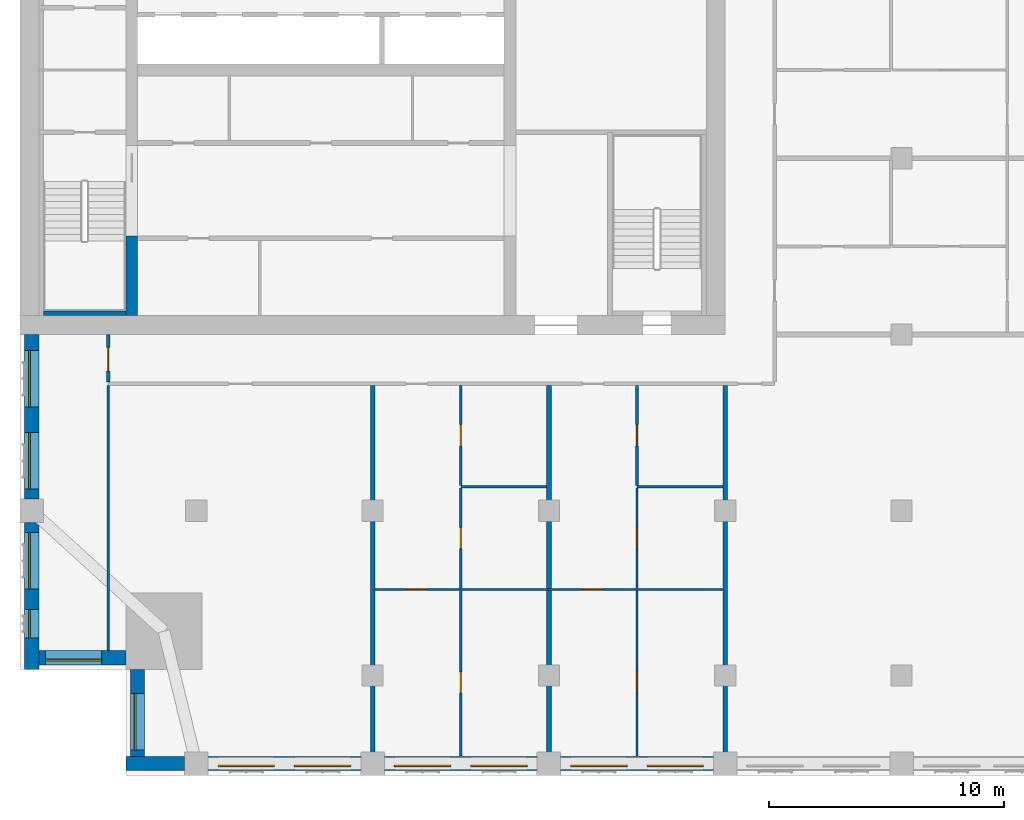
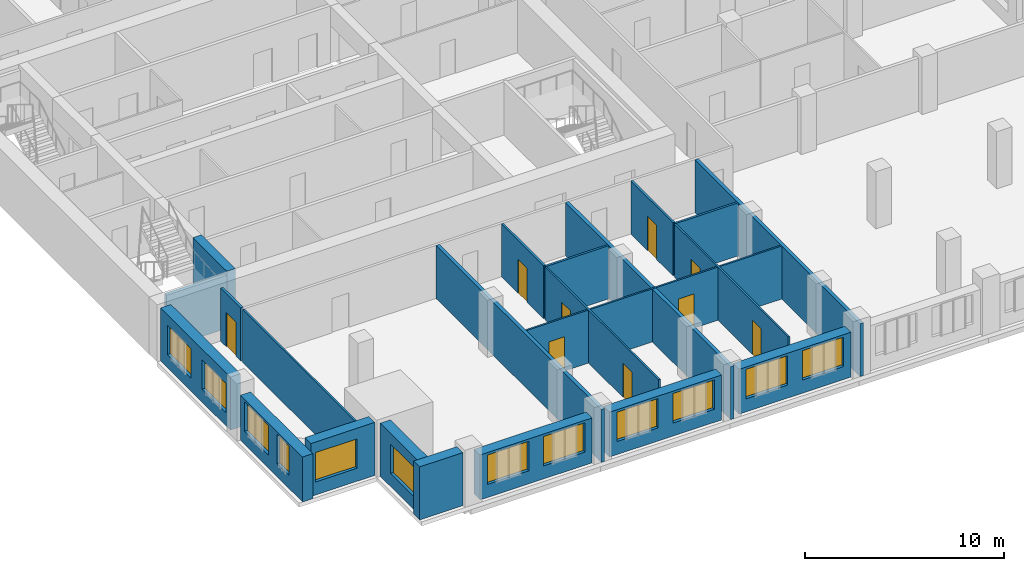
# One storey, part 6 of 14: 22 walls, 12 windows, 9 doors, 21 openings.
"""IFC4 building model written with IfcOpenShell, lengths in metres."""

import ifcopenshell
import ifcopenshell.guid

model = None  # the IFC model being written
_history = None  # IfcOwnerHistory: only IFC2X3 demands one
_inside = {}  # id of a spatial element -> (the spatial element, [elements in it])
_under = {}  # id of a project, library or spatial element -> (it, [spatial elements below it])
_declared = {}  # id of a project -> (the project, [libraries it declares])
_typed = {}  # id of a type object -> (the type object, [elements of that type])
_made_of = {}  # id of a material, layer set ... -> (it, [elements and type objects made of it])


def new_model(schema):
    """Start an empty IFC model of exactly this schema.

    Asked for "IFC4X3", IfcOpenShell would pick the latest addendum, in which some entities
    have other attributes; the version numbers below select the first issue.
    IFC2X3 requires an IfcOwnerHistory on every rooted entity: one is made here for all.
    """
    global model, _history
    if schema == "IFC4X3":
        model = ifcopenshell.file(schema_version=(4, 3, 0, 0))
    else:
        model = ifcopenshell.file(schema=schema)
    _inside.clear()
    _under.clear()
    _declared.clear()
    _typed.clear()
    _made_of.clear()
    _history = None
    if model.schema == "IFC2X3":
        org = make("IfcOrganization", Name="unknown")
        user = make(
            "IfcPersonAndOrganization",
            ThePerson=make("IfcPerson", FamilyName="unknown"),
            TheOrganization=org,
        )
        app = make(
            "IfcApplication",
            ApplicationDeveloper=org,
            Version="unknown",
            ApplicationFullName="unknown",
            ApplicationIdentifier="unknown",
        )
        _history = make(
            "IfcOwnerHistory",
            OwningUser=user,
            OwningApplication=app,
            ChangeAction="ADDED",
            CreationDate=0,
        )
    return model


def make(cls, **values):
    """One entity of the class cls with the attributes given. An attribute that is None is left unset."""
    return model.create_entity(
        cls, **{name: value for name, value in values.items() if value is not None}
    )


def rooted(cls, **values):
    """An entity with a GlobalId (a new one), such as an element, a storey or a relation."""
    return make(cls, GlobalId=ifcopenshell.guid.new(), OwnerHistory=_history, **values)


def si_unit(unit_type, name, prefix=None):
    """IfcSIUnit, for example si_unit("LENGTHUNIT", "METRE", prefix="MILLI")."""
    return make("IfcSIUnit", UnitType=unit_type, Prefix=prefix, Name=name)


def assignment(units):
    """IfcUnitAssignment: the units of a project."""
    return None if units is None else make("IfcUnitAssignment", Units=units)


def point(xyz):
    """IfcCartesianPoint."""
    return None if xyz is None else make("IfcCartesianPoint", Coordinates=xyz)


def direction(xyz):
    """IfcDirection."""
    return None if xyz is None else make("IfcDirection", DirectionRatios=xyz)


def frame(location, z_axis=None, x_axis=None):
    """IfcAxis2Placement3D, a coordinate frame: its origin and axes. An axis left out is left unset."""
    return make(
        "IfcAxis2Placement3D",
        Location=point(location),
        Axis=direction(z_axis),
        RefDirection=direction(x_axis),
    )


def frame_2d(location, x_axis=None):
    """IfcAxis2Placement2D, a coordinate frame in the plane: its origin and x axis."""
    return make(
        "IfcAxis2Placement2D", Location=point(location), RefDirection=direction(x_axis)
    )


def origin():
    """The frame at (0, 0, 0) with its axes left unset."""
    return frame((0.0, 0.0, 0.0))


def place(relative_to, where):
    """IfcLocalPlacement: puts the frame where relative to a parent placement (None: the world)."""
    return make(
        "IfcLocalPlacement", PlacementRelTo=relative_to, RelativePlacement=where
    )


def context(
    kind, dimensions, precision=None, world=None, true_north=None, identifier=None
):
    """IfcGeometricRepresentationContext, for example the 3D "Model" context."""
    return make(
        "IfcGeometricRepresentationContext",
        ContextIdentifier=identifier,
        ContextType=kind,
        CoordinateSpaceDimension=dimensions,
        Precision=precision,
        WorldCoordinateSystem=world,
        TrueNorth=true_north,
    )


def subcontext(parent, identifier, kind, view, scale=None):
    """IfcGeometricRepresentationSubContext, for example "Body" below "Model"."""
    return make(
        "IfcGeometricRepresentationSubContext",
        ContextIdentifier=identifier,
        ContextType=kind,
        ParentContext=parent,
        TargetScale=scale,
        TargetView=view,
    )


def project(units=None, contexts=None):
    """IfcProject with its units and contexts."""
    return rooted(
        "IfcProject",
        Name="project",
        RepresentationContexts=contexts,
        UnitsInContext=assignment(units),
    )


def spatial(cls, under=None, at=None, **own):
    """A site, building, storey or space (cls), placed at a placement, below another one or the project."""
    s = rooted(cls, ObjectPlacement=at, **own)
    if under is not None:
        _under.setdefault(under.id(), (under, []))[1].append(s)
    return s


def profile(cls, at=None, kind="AREA", **sizes):
    """A parametric profile (cls). Its sizes go by their IFC names, for example OverallWidth=200.0."""
    return make(cls, ProfileType=kind, Position=at, **sizes)


def rectangle(**sizes):
    """IfcRectangleProfileDef."""
    return profile("IfcRectangleProfileDef", **sizes)


def extrude(swept, where, along, depth):
    """IfcExtrudedAreaSolid: the profile swept, set in the frame where, extruded along a direction by depth."""
    return make(
        "IfcExtrudedAreaSolid",
        SweptArea=swept,
        Position=where,
        ExtrudedDirection=direction(along),
        Depth=depth,
    )


def shape(context_of_items, identifier, shape_type, items):
    """IfcShapeRepresentation: the items that make up one representation, for example the "Body"."""
    return make(
        "IfcShapeRepresentation",
        ContextOfItems=context_of_items,
        RepresentationIdentifier=identifier,
        RepresentationType=shape_type,
        Items=items,
    )


def material(Name=None, Category=None):
    """IfcMaterial."""
    return make("IfcMaterial", Name=Name, Category=Category)


def layer(
    of_material, thickness, ventilated=None, Name=None, Category=None, Priority=None
):
    """IfcMaterialLayer: one layer of a wall or slab, of a material (None: an air gap)."""
    return make(
        "IfcMaterialLayer",
        Material=of_material,
        LayerThickness=thickness,
        IsVentilated=ventilated,
        Name=Name,
        Category=Category,
        Priority=Priority,
    )


def layer_set(layers, Name=None):
    """IfcMaterialLayerSet."""
    return make("IfcMaterialLayerSet", MaterialLayers=layers, LayerSetName=Name)


def made_of(thing, what):
    """Note that an element or type object is made of a material, layer set ...; save() writes the relation."""
    if what is not None:
        _made_of.setdefault(what.id(), (what, []))[1].append(thing)
    return thing


def type_object(cls, material=None, **own):
    """A type object (cls), such as IfcWallType, which elements share."""
    return made_of(rooted(cls, **own), material)


def element(
    cls,
    number,
    at=None,
    inside=None,
    cuts=None,
    type_object=None,
    material=None,
    context=None,
    identifier="Body",
    shape_type=None,
    held_by="IfcProductDefinitionShape",
    body=None,
    shapes=None,
    **own,
):
    """One element of the class cls, such as IfcWall. Its Tag is "e" and its number.

    at: its placement. inside: the storey or other place that contains it. cuts: it is an
    opening in that element (IfcRelVoidsElement). A single representation is given by context,
    identifier, shape_type and body (its items); several are given by shapes. held_by: the class
    of the entity that holds the representations. save() writes the other relations.
    """
    e = rooted(cls, Tag="e%d" % number, ObjectPlacement=at, **own)
    if body is not None:
        shapes = [shape(context, identifier, shape_type, body)]
    if shapes is not None:
        e.Representation = make(held_by, Representations=shapes)
    if inside is not None:
        _inside.setdefault(inside.id(), (inside, []))[1].append(e)
    if cuts is not None:
        rooted(
            "IfcRelVoidsElement", RelatingBuildingElement=cuts, RelatedOpeningElement=e
        )
    if type_object is not None:
        _typed.setdefault(type_object.id(), (type_object, []))[1].append(e)
    return made_of(e, material)


def fill(opening, filler):
    """IfcRelFillsElement: the door or window that sits in an opening."""
    return rooted(
        "IfcRelFillsElement",
        RelatingOpeningElement=opening,
        RelatedBuildingElement=filler,
    )


def aggregate(whole, parts):
    """IfcRelAggregates: a whole, such as a stair, and the parts it consists of."""
    return rooted("IfcRelAggregates", RelatingObject=whole, RelatedObjects=parts)


def save(model, path):
    """Write the relations noted so far, then the file.

    IfcRelAggregates (storeys below a building ...), IfcRelContainedInSpatialStructure (elements
    in a storey), IfcRelDefinesByType, IfcRelAssociatesMaterial and IfcRelDeclares: one each for
    every whole, place, type object, material and project.
    """
    for whole, parts in _under.values():
        aggregate(whole, parts)
    for where, things in _inside.values():
        rooted(
            "IfcRelContainedInSpatialStructure",
            RelatedElements=things,
            RelatingStructure=where,
        )
    for kind, things in _typed.values():
        rooted("IfcRelDefinesByType", RelatedObjects=things, RelatingType=kind)
    for what, things in _made_of.values():
        rooted("IfcRelAssociatesMaterial", RelatedObjects=things, RelatingMaterial=what)
    for by, libraries in _declared.values():
        rooted("IfcRelDeclares", RelatingContext=by, RelatedDefinitions=libraries)
    model.write(path)


model = new_model("IFC4")

# Units and contexts
model_context = context("Model", 3, precision=1e-05, world=origin(), true_north=direction((0.0, 1.0)))
body_context = subcontext(model_context, "Body", "Model", "MODEL_VIEW")
ifc_project = project(units=[si_unit("LENGTHUNIT", "METRE"), si_unit("AREAUNIT", "SQUARE_METRE"), si_unit("VOLUMEUNIT", "CUBIC_METRE"), si_unit("PLANEANGLEUNIT", "RADIAN"), si_unit("MASSUNIT", "GRAM", prefix="KILO")], contexts=[model_context])

# Site, building, storey
site_placement = place(None, origin())
site = spatial("IfcSite", under=ifc_project, at=site_placement, CompositionType="ELEMENT")
building_placement = place(site_placement, origin())
building = spatial("IfcBuilding", under=site, at=building_placement, Name="Tamorin Gate", CompositionType="ELEMENT")
storey_placement = place(building_placement, frame((0.0, 0.0, 203.699951171875)))
storey = spatial("IfcBuildingStorey", under=building, at=storey_placement, Name="L50", CompositionType="ELEMENT", Elevation=203.699951171875)

# Wall
ifc_material_1 = material(Name="Precast concrete C40/50", Category="concrete")
ifc_layer_1 = layer(ifc_material_1, 0.60009765625)
ifc_layer_set_1 = layer_set([ifc_layer_1], Name="Precast concrete C40/50")
wall_type_1 = type_object("IfcWallType", Name="Board-marked concrete facade panel 600", PredefinedType="SOLIDWALL", material=ifc_layer_set_1)
wall_1_placement = place(storey_placement, frame((34.5, 41.75, 0.0), z_axis=(0.0, 0.0, 1.0), x_axis=(1.0, 0.0, 0.0)))
element("IfcWall", 1, at=wall_1_placement, inside=storey, type_object=wall_type_1, Name="Facade panel", PredefinedType="SOLIDWALL", context=body_context, shape_type="SweptSolid", body=[
    extrude(rectangle(XDim=2.5, YDim=0.60009765625, at=frame_2d((1.25, 0.0))), origin(), (0.0, 0.0, 1.0), 3.25),
])

# Wall, openings, windows
wall_2_placement = place(storey_placement, frame((38.0, 41.75, 0.0), z_axis=(0.0, 0.0, 1.0), x_axis=(1.0, 0.0, 0.0)))
wall_2 = element("IfcWall", 2, at=wall_2_placement, inside=storey, type_object=wall_type_1, Name="Facade panel", PredefinedType="SOLIDWALL", context=body_context, shape_type="SweptSolid", body=[
    extrude(rectangle(XDim=6.5, YDim=0.60009765625, at=frame_2d((3.25, 0.0))), origin(), (0.0, 0.0, 1.0), 2.75),
])
opening_1_placement = place(wall_2_placement, frame((0.425048828125, 0.0, 0.800048828125)))
opening_1 = element("IfcOpeningElement", 3, at=opening_1_placement, cuts=wall_2, Name="Opening WN1", PredefinedType="OPENING", context=body_context, shape_type="SweptSolid", body=[
    extrude(rectangle(XDim=2.39990234375, YDim=1.800048828125, at=frame_2d((1.199951171875, 0.89990234375))), frame((0.0, 0.31005859375, 0.0), z_axis=(0.0, -1.0, 0.0), x_axis=(1.0, 0.0, 0.0)), (0.0, 0.0, 1.0), 0.6201171875),
])
opening_2_placement = place(wall_2_placement, frame((3.675048828125, 0.0, 0.800048828125)))
opening_2 = element("IfcOpeningElement", 4, at=opening_2_placement, cuts=wall_2, Name="Opening WN1", PredefinedType="OPENING", context=body_context, shape_type="SweptSolid", body=[
    extrude(rectangle(XDim=2.39990234375, YDim=1.800048828125, at=frame_2d((1.199951171875, 0.89990234375))), frame((0.0, 0.31005859375, 0.0), z_axis=(0.0, -1.0, 0.0), x_axis=(1.0, 0.0, 0.0)), (0.0, 0.0, 1.0), 0.6201171875),
])
ifc_material_2 = material(Name="Clear glass in aluminium frame", Category="aluminium")
window_type_1 = type_object("IfcWindowType", Name="Deep-set window 2400x1800", PartitioningType="SINGLE_PANEL", PredefinedType="WINDOW", material=ifc_material_2)
window_1_placement = place(opening_1_placement, origin())
window_1 = element("IfcWindow", 5, at=window_1_placement, inside=storey, type_object=window_type_1, Name="Deep-set window", OverallHeight=1.800048828125, OverallWidth=2.39990234375, PartitioningType="SINGLE_PANEL", PredefinedType="WINDOW", context=body_context, shape_type="SweptSolid", body=[
    extrude(rectangle(XDim=2.39990234375, YDim=1.800048828125, at=frame_2d((1.199951171875, 0.89990234375))), frame((0.0, -0.070068359375, 0.0), z_axis=(0.0, -1.0, 0.0), x_axis=(1.0, 0.0, 0.0)), (0.0, 0.0, 1.0), 0.06005859375),
])
fill(opening_1, window_1)
window_2_placement = place(opening_2_placement, origin())
window_2 = element("IfcWindow", 6, at=window_2_placement, inside=storey, type_object=window_type_1, Name="Deep-set window", OverallHeight=1.800048828125, OverallWidth=2.39990234375, PartitioningType="SINGLE_PANEL", PredefinedType="WINDOW", context=body_context, shape_type="SweptSolid", body=[
    extrude(rectangle(XDim=2.39990234375, YDim=1.800048828125, at=frame_2d((1.199951171875, 0.89990234375))), frame((0.0, -0.070068359375, 0.0), z_axis=(0.0, -1.0, 0.0), x_axis=(1.0, 0.0, 0.0)), (0.0, 0.0, 1.0), 0.06005859375),
])
fill(opening_2, window_2)

wall_3_placement = place(storey_placement, frame((45.5, 41.75, 0.0), z_axis=(0.0, 0.0, 1.0), x_axis=(1.0, 0.0, 0.0)))
wall_3 = element("IfcWall", 7, at=wall_3_placement, inside=storey, type_object=wall_type_1, Name="Facade panel", PredefinedType="SOLIDWALL", context=body_context, shape_type="SweptSolid", body=[
    extrude(rectangle(XDim=6.5, YDim=0.60009765625, at=frame_2d((3.25, 0.0))), origin(), (0.0, 0.0, 1.0), 2.75),
])
opening_3_placement = place(wall_3_placement, frame((0.425048828125, 0.0, 0.800048828125)))
opening_3 = element("IfcOpeningElement", 8, at=opening_3_placement, cuts=wall_3, Name="Opening WN1", PredefinedType="OPENING", context=body_context, shape_type="SweptSolid", body=[
    extrude(rectangle(XDim=2.39990234375, YDim=1.800048828125, at=frame_2d((1.199951171875, 0.89990234375))), frame((0.0, 0.31005859375, 0.0), z_axis=(0.0, -1.0, 0.0), x_axis=(1.0, 0.0, 0.0)), (0.0, 0.0, 1.0), 0.6201171875),
])
opening_4_placement = place(wall_3_placement, frame((3.675048828125, 0.0, 0.800048828125)))
opening_4 = element("IfcOpeningElement", 9, at=opening_4_placement, cuts=wall_3, Name="Opening WN1", PredefinedType="OPENING", context=body_context, shape_type="SweptSolid", body=[
    extrude(rectangle(XDim=2.39990234375, YDim=1.800048828125, at=frame_2d((1.199951171875, 0.89990234375))), frame((0.0, 0.31005859375, 0.0), z_axis=(0.0, -1.0, 0.0), x_axis=(1.0, 0.0, 0.0)), (0.0, 0.0, 1.0), 0.6201171875),
])
window_3_placement = place(opening_3_placement, origin())
window_3 = element("IfcWindow", 10, at=window_3_placement, inside=storey, type_object=window_type_1, Name="Deep-set window", OverallHeight=1.800048828125, OverallWidth=2.39990234375, PartitioningType="SINGLE_PANEL", PredefinedType="WINDOW", context=body_context, shape_type="SweptSolid", body=[
    extrude(rectangle(XDim=2.39990234375, YDim=1.800048828125, at=frame_2d((1.199951171875, 0.89990234375))), frame((0.0, -0.070068359375, 0.0), z_axis=(0.0, -1.0, 0.0), x_axis=(1.0, 0.0, 0.0)), (0.0, 0.0, 1.0), 0.06005859375),
])
fill(opening_3, window_3)
window_4_placement = place(opening_4_placement, origin())
window_4 = element("IfcWindow", 11, at=window_4_placement, inside=storey, type_object=window_type_1, Name="Deep-set window", OverallHeight=1.800048828125, OverallWidth=2.39990234375, PartitioningType="SINGLE_PANEL", PredefinedType="WINDOW", context=body_context, shape_type="SweptSolid", body=[
    extrude(rectangle(XDim=2.39990234375, YDim=1.800048828125, at=frame_2d((1.199951171875, 0.89990234375))), frame((0.0, -0.070068359375, 0.0), z_axis=(0.0, -1.0, 0.0), x_axis=(1.0, 0.0, 0.0)), (0.0, 0.0, 1.0), 0.06005859375),
])
fill(opening_4, window_4)

wall_4_placement = place(storey_placement, frame((53.0, 41.75, 0.0), z_axis=(0.0, 0.0, 1.0), x_axis=(1.0, 0.0, 0.0)))
wall_4 = element("IfcWall", 12, at=wall_4_placement, inside=storey, type_object=wall_type_1, Name="Facade panel", PredefinedType="SOLIDWALL", context=body_context, shape_type="SweptSolid", body=[
    extrude(rectangle(XDim=6.5, YDim=0.60009765625, at=frame_2d((3.25, 0.0))), origin(), (0.0, 0.0, 1.0), 2.75),
])
opening_5_placement = place(wall_4_placement, frame((0.425048828125, 0.0, 0.800048828125)))
opening_5 = element("IfcOpeningElement", 13, at=opening_5_placement, cuts=wall_4, Name="Opening WN1", PredefinedType="OPENING", context=body_context, shape_type="SweptSolid", body=[
    extrude(rectangle(XDim=2.39990234375, YDim=1.800048828125, at=frame_2d((1.199951171875, 0.89990234375))), frame((0.0, 0.31005859375, 0.0), z_axis=(0.0, -1.0, 0.0), x_axis=(1.0, 0.0, 0.0)), (0.0, 0.0, 1.0), 0.6201171875),
])
opening_6_placement = place(wall_4_placement, frame((3.675048828125, 0.0, 0.800048828125)))
opening_6 = element("IfcOpeningElement", 14, at=opening_6_placement, cuts=wall_4, Name="Opening WN1", PredefinedType="OPENING", context=body_context, shape_type="SweptSolid", body=[
    extrude(rectangle(XDim=2.39990234375, YDim=1.800048828125, at=frame_2d((1.199951171875, 0.89990234375))), frame((0.0, 0.31005859375, 0.0), z_axis=(0.0, -1.0, 0.0), x_axis=(1.0, 0.0, 0.0)), (0.0, 0.0, 1.0), 0.6201171875),
])
window_5_placement = place(opening_5_placement, origin())
window_5 = element("IfcWindow", 15, at=window_5_placement, inside=storey, type_object=window_type_1, Name="Deep-set window", OverallHeight=1.800048828125, OverallWidth=2.39990234375, PartitioningType="SINGLE_PANEL", PredefinedType="WINDOW", context=body_context, shape_type="SweptSolid", body=[
    extrude(rectangle(XDim=2.39990234375, YDim=1.800048828125, at=frame_2d((1.199951171875, 0.89990234375))), frame((0.0, -0.070068359375, 0.0), z_axis=(0.0, -1.0, 0.0), x_axis=(1.0, 0.0, 0.0)), (0.0, 0.0, 1.0), 0.06005859375),
])
fill(opening_5, window_5)
window_6_placement = place(opening_6_placement, origin())
window_6 = element("IfcWindow", 16, at=window_6_placement, inside=storey, type_object=window_type_1, Name="Deep-set window", OverallHeight=1.800048828125, OverallWidth=2.39990234375, PartitioningType="SINGLE_PANEL", PredefinedType="WINDOW", context=body_context, shape_type="SweptSolid", body=[
    extrude(rectangle(XDim=2.39990234375, YDim=1.800048828125, at=frame_2d((1.199951171875, 0.89990234375))), frame((0.0, -0.070068359375, 0.0), z_axis=(0.0, -1.0, 0.0), x_axis=(1.0, 0.0, 0.0)), (0.0, 0.0, 1.0), 0.06005859375),
])
fill(opening_6, window_6)

wall_5_placement = place(storey_placement, frame((30.5, 60.0, 0.0), z_axis=(0.0, 0.0, 1.0), x_axis=(0.0, -1.0, 0.0)))
wall_5 = element("IfcWall", 17, at=wall_5_placement, inside=storey, type_object=wall_type_1, Name="Facade panel", PredefinedType="SOLIDWALL", context=body_context, shape_type="SweptSolid", body=[
    extrude(rectangle(XDim=7.0, YDim=0.60009765625, at=frame_2d((3.5, 0.0))), origin(), (0.0, 0.0, 1.0), 3.25),
])
opening_7_placement = place(wall_5_placement, frame((4.175048828125, 0.0, 0.800048828125)))
opening_7 = element("IfcOpeningElement", 18, at=opening_7_placement, cuts=wall_5, Name="Opening WN1", PredefinedType="OPENING", context=body_context, shape_type="SweptSolid", body=[
    extrude(rectangle(XDim=2.39990234375, YDim=1.800048828125, at=frame_2d((1.199951171875, 0.89990234375))), frame((0.0, 0.31005859375, 0.0), z_axis=(0.0, -1.0, 0.0), x_axis=(1.0, 0.0, 0.0)), (0.0, 0.0, 1.0), 0.6201171875),
])
opening_8_placement = place(wall_5_placement, frame((0.675048828125, 0.0, 0.800048828125)))
opening_8 = element("IfcOpeningElement", 19, at=opening_8_placement, cuts=wall_5, Name="Opening WN1", PredefinedType="OPENING", context=body_context, shape_type="SweptSolid", body=[
    extrude(rectangle(XDim=2.39990234375, YDim=1.800048828125, at=frame_2d((1.199951171875, 0.89990234375))), frame((0.0, 0.31005859375, 0.0), z_axis=(0.0, -1.0, 0.0), x_axis=(1.0, 0.0, 0.0)), (0.0, 0.0, 1.0), 0.6201171875),
])
window_7_placement = place(opening_7_placement, origin())
window_7 = element("IfcWindow", 20, at=window_7_placement, inside=storey, type_object=window_type_1, Name="Deep-set window", OverallHeight=1.800048828125, OverallWidth=2.39990234375, PartitioningType="SINGLE_PANEL", PredefinedType="WINDOW", context=body_context, shape_type="SweptSolid", body=[
    extrude(rectangle(XDim=2.39990234375, YDim=1.800048828125, at=frame_2d((1.199951171875, 0.89990234375))), frame((0.0, -0.070068359375, 0.0), z_axis=(0.0, -1.0, 0.0), x_axis=(1.0, 0.0, 0.0)), (0.0, 0.0, 1.0), 0.06005859375),
])
fill(opening_7, window_7)
window_8_placement = place(opening_8_placement, origin())
window_8 = element("IfcWindow", 21, at=window_8_placement, inside=storey, type_object=window_type_1, Name="Deep-set window", OverallHeight=1.800048828125, OverallWidth=2.39990234375, PartitioningType="SINGLE_PANEL", PredefinedType="WINDOW", context=body_context, shape_type="SweptSolid", body=[
    extrude(rectangle(XDim=2.39990234375, YDim=1.800048828125, at=frame_2d((1.199951171875, 0.89990234375))), frame((0.0, -0.070068359375, 0.0), z_axis=(0.0, -1.0, 0.0), x_axis=(1.0, 0.0, 0.0)), (0.0, 0.0, 1.0), 0.06005859375),
])
fill(opening_8, window_8)

wall_6_placement = place(storey_placement, frame((30.5, 52.0, 0.0), z_axis=(0.0, 0.0, 1.0), x_axis=(0.0, -1.0, 0.0)))
wall_6 = element("IfcWall", 22, at=wall_6_placement, inside=storey, type_object=wall_type_1, Name="Facade panel", PredefinedType="SOLIDWALL", context=body_context, shape_type="SweptSolid", body=[
    extrude(rectangle(XDim=6.25, YDim=0.60009765625, at=frame_2d((3.125, 0.0))), origin(), (0.0, 0.0, 1.0), 2.75),
])
opening_9_placement = place(wall_6_placement, frame((3.699951171875, 0.0, 0.800048828125)))
opening_9 = element("IfcOpeningElement", 23, at=opening_9_placement, cuts=wall_6, Name="Opening WN3", PredefinedType="OPENING", context=body_context, shape_type="SweptSolid", body=[
    extrude(rectangle(XDim=1.199951171875, YDim=1.800048828125, at=frame_2d((0.60009765625, 0.89990234375))), frame((0.0, 0.31005859375, 0.0), z_axis=(0.0, -1.0, 0.0), x_axis=(1.0, 0.0, 0.0)), (0.0, 0.0, 1.0), 0.6201171875),
])
opening_10_placement = place(wall_6_placement, frame((0.425048828125, 0.0, 0.800048828125)))
opening_10 = element("IfcOpeningElement", 24, at=opening_10_placement, cuts=wall_6, Name="Opening WN1", PredefinedType="OPENING", context=body_context, shape_type="SweptSolid", body=[
    extrude(rectangle(XDim=2.39990234375, YDim=1.800048828125, at=frame_2d((1.199951171875, 0.89990234375))), frame((0.0, 0.31005859375, 0.0), z_axis=(0.0, -1.0, 0.0), x_axis=(1.0, 0.0, 0.0)), (0.0, 0.0, 1.0), 0.6201171875),
])
window_type_2 = type_object("IfcWindowType", Name="Deep-set window 1200x1800", PartitioningType="SINGLE_PANEL", PredefinedType="WINDOW", material=ifc_material_2)
window_9_placement = place(opening_9_placement, origin())
window_9 = element("IfcWindow", 25, at=window_9_placement, inside=storey, type_object=window_type_2, Name="Deep-set window", OverallHeight=1.800048828125, OverallWidth=1.199951171875, PartitioningType="SINGLE_PANEL", PredefinedType="WINDOW", context=body_context, shape_type="SweptSolid", body=[
    extrude(rectangle(XDim=1.199951171875, YDim=1.800048828125, at=frame_2d((0.60009765625, 0.89990234375))), frame((0.0, -0.070068359375, 0.0), z_axis=(0.0, -1.0, 0.0), x_axis=(1.0, 0.0, 0.0)), (0.0, 0.0, 1.0), 0.06005859375),
])
fill(opening_9, window_9)
window_10_placement = place(opening_10_placement, origin())
window_10 = element("IfcWindow", 26, at=window_10_placement, inside=storey, type_object=window_type_1, Name="Deep-set window", OverallHeight=1.800048828125, OverallWidth=2.39990234375, PartitioningType="SINGLE_PANEL", PredefinedType="WINDOW", context=body_context, shape_type="SweptSolid", body=[
    extrude(rectangle(XDim=2.39990234375, YDim=1.800048828125, at=frame_2d((1.199951171875, 0.89990234375))), frame((0.0, -0.070068359375, 0.0), z_axis=(0.0, -1.0, 0.0), x_axis=(1.0, 0.0, 0.0)), (0.0, 0.0, 1.0), 0.06005859375),
])
fill(opening_10, window_10)

# Wall, opening, window
wall_7_placement = place(storey_placement, frame((30.800048828125, 46.25, 0.0), z_axis=(0.0, 0.0, 1.0), x_axis=(1.0, 0.0, 0.0)))
wall_7 = element("IfcWall", 27, at=wall_7_placement, inside=storey, type_object=wall_type_1, Name="Facade panel", PredefinedType="SOLIDWALL", context=body_context, shape_type="SweptSolid", body=[
    extrude(rectangle(XDim=3.699951171875, YDim=0.60009765625, at=frame_2d((1.85009765625, 0.0))), origin(), (0.0, 0.0, 1.0), 3.25),
])
opening_11_placement = place(wall_7_placement, frame((0.27490234375, 0.0, 0.800048828125)))
opening_11 = element("IfcOpeningElement", 28, at=opening_11_placement, cuts=wall_7, Name="Opening WN1", PredefinedType="OPENING", context=body_context, shape_type="SweptSolid", body=[
    extrude(rectangle(XDim=2.39990234375, YDim=1.800048828125, at=frame_2d((1.199951171875, 0.89990234375))), frame((0.0, 0.31005859375, 0.0), z_axis=(0.0, -1.0, 0.0), x_axis=(1.0, 0.0, 0.0)), (0.0, 0.0, 1.0), 0.6201171875),
])
window_11_placement = place(opening_11_placement, origin())
window_11 = element("IfcWindow", 29, at=window_11_placement, inside=storey, type_object=window_type_1, Name="Deep-set window", OverallHeight=1.800048828125, OverallWidth=2.39990234375, PartitioningType="SINGLE_PANEL", PredefinedType="WINDOW", context=body_context, shape_type="SweptSolid", body=[
    extrude(rectangle(XDim=2.39990234375, YDim=1.800048828125, at=frame_2d((1.199951171875, 0.89990234375))), frame((0.0, -0.070068359375, 0.0), z_axis=(0.0, -1.0, 0.0), x_axis=(1.0, 0.0, 0.0)), (0.0, 0.0, 1.0), 0.06005859375),
])
fill(opening_11, window_11)

wall_8_placement = place(storey_placement, frame((35.0, 45.75, 0.0), z_axis=(0.0, 0.0, 1.0), x_axis=(0.0, -1.0, 0.0)))
wall_8 = element("IfcWall", 30, at=wall_8_placement, inside=storey, type_object=wall_type_1, Name="Facade panel", PredefinedType="SOLIDWALL", context=body_context, shape_type="SweptSolid", body=[
    extrude(rectangle(XDim=3.699951171875, YDim=0.60009765625, at=frame_2d((1.85009765625, 0.0))), origin(), (0.0, 0.0, 1.0), 3.25),
])
opening_12_placement = place(wall_8_placement, frame((1.02490234375, 0.0, 0.800048828125)))
opening_12 = element("IfcOpeningElement", 31, at=opening_12_placement, cuts=wall_8, Name="Opening WN1", PredefinedType="OPENING", context=body_context, shape_type="SweptSolid", body=[
    extrude(rectangle(XDim=2.39990234375, YDim=1.800048828125, at=frame_2d((1.199951171875, 0.89990234375))), frame((0.0, 0.31005859375, 0.0), z_axis=(0.0, -1.0, 0.0), x_axis=(1.0, 0.0, 0.0)), (0.0, 0.0, 1.0), 0.6201171875),
])
window_12_placement = place(opening_12_placement, origin())
window_12 = element("IfcWindow", 32, at=window_12_placement, inside=storey, type_object=window_type_1, Name="Deep-set window", OverallHeight=1.800048828125, OverallWidth=2.39990234375, PartitioningType="SINGLE_PANEL", PredefinedType="WINDOW", context=body_context, shape_type="SweptSolid", body=[
    extrude(rectangle(XDim=2.39990234375, YDim=1.800048828125, at=frame_2d((1.199951171875, 0.89990234375))), frame((0.0, -0.070068359375, 0.0), z_axis=(0.0, -1.0, 0.0), x_axis=(1.0, 0.0, 0.0)), (0.0, 0.0, 1.0), 0.06005859375),
])
fill(opening_12, window_12)

# Wall, opening, door
ifc_material_3 = material(Name="Gypsum board partition")
ifc_layer_2 = layer(ifc_material_3, 0.14990234375)
ifc_layer_set_2 = layer_set([ifc_layer_2], Name="Corridor wall 150")
wall_type_2 = type_object("IfcWallType", Name="Corridor wall 150", PredefinedType="PARTITIONING", material=ifc_layer_set_2)
wall_9_placement = place(storey_placement, frame((33.75, 57.97509765625, 0.0), z_axis=(0.0, 0.0, 1.0), x_axis=(0.0, 1.0, 0.0)))
wall_9 = element("IfcWall", 33, at=wall_9_placement, inside=storey, type_object=wall_type_2, Name="Corridor wall 150", PredefinedType="PARTITIONING", context=body_context, shape_type="SweptSolid", body=[
    extrude(rectangle(XDim=2.02490234375, YDim=0.14990234375, at=frame_2d((1.012451171875, 0.0))), origin(), (0.0, 0.0, 1.0), 3.25),
])
opening_13_placement = place(wall_9_placement, frame((0.47509765625, 0.0, 0.0)))
opening_13 = element("IfcOpeningElement", 34, at=opening_13_placement, cuts=wall_9, Name="Opening DR4001", PredefinedType="OPENING", context=body_context, shape_type="SweptSolid", body=[
    extrude(rectangle(XDim=1.0, YDim=2.10009765625, at=frame_2d((0.5, 1.050048828125))), frame((0.0, 0.0849609375, 0.0), z_axis=(0.0, -1.0, 0.0), x_axis=(1.0, 0.0, 0.0)), (0.0, 0.0, 1.0), 0.169921875),
])
ifc_material_4 = material(Name="Timber door leaf", Category="wood")
door_type_1 = type_object("IfcDoorType", Name="Door 1000 x 2100 FD30S", OperationType="NOTDEFINED", PredefinedType="DOOR", material=ifc_material_4)
door_1_placement = place(opening_13_placement, origin())
door_1 = element("IfcDoor", 35, at=door_1_placement, inside=storey, type_object=door_type_1, Name="Door DR4001", OperationType="SINGLE_SWING_LEFT", OverallHeight=2.10009765625, OverallWidth=1.0, PredefinedType="DOOR", context=body_context, shape_type="SweptSolid", body=[
    extrude(rectangle(XDim=1.0, YDim=2.10009765625, at=frame_2d((0.5, 1.050048828125))), frame((0.0, 0.02490234375, 0.0), z_axis=(0.0, -1.0, 0.0), x_axis=(1.0, 0.0, 0.0)), (0.0, 0.0, 1.0), 0.050048828125),
])
fill(opening_13, door_1)

# Walls
ifc_layer_3 = layer(ifc_material_3, 0.199951171875)
ifc_layer_set_3 = layer_set([ifc_layer_3], Name="Demising wall 200")
wall_type_3 = type_object("IfcWallType", Name="Demising wall 200", PredefinedType="PARTITIONING", material=ifc_layer_set_3)
for number, where, z_axis, x_axis, name in (
    (36, (45.0, 41.25, 0.0), (0.0, 0.0, 1.0), (0.0, 1.0, 0.0), "Demising wall 200"),
    (37, (52.5, 41.25, 0.0), (0.0, 0.0, 1.0), (0.0, 1.0, 0.0), "Demising wall 200"),
    (38, (60.0, 41.25, 0.0), (0.0, 0.0, 1.0), (0.0, 1.0, 0.0), "Demising wall 200"),
):
    element("IfcWall", number, at=place(storey_placement, frame(where, z_axis=z_axis, x_axis=x_axis)), inside=storey, type_object=wall_type_3, Name=name, PredefinedType="PARTITIONING", context=body_context, shape_type="SweptSolid", body=[
        extrude(rectangle(XDim=16.574951171875, YDim=0.199951171875, at=frame_2d((8.28759765625, 0.0))), origin(), (0.0, 0.0, 1.0), 3.25),
    ])
ifc_material_5 = material(Name="Concrete C60/75", Category="concrete")
ifc_layer_4 = layer(ifc_material_5, 0.5)
ifc_layer_set_4 = layer_set([ifc_layer_4], Name="RC core internal wall 500 C60/75")
wall_type_4 = type_object("IfcWallType", Name="RC core internal wall 500 C60/75", PredefinedType="SHEAR", material=ifc_layer_set_4)
wall_10_placement = place(storey_placement, frame((34.75, 60.800048828125, 0.0), z_axis=(0.0, 0.0, 1.0), x_axis=(0.0, 1.0, 0.0)))
element("IfcWall", 39, at=wall_10_placement, inside=storey, type_object=wall_type_4, Name="Core cross wall L50", PredefinedType="SHEAR", context=body_context, shape_type="SweptSolid", body=[
    extrude(rectangle(XDim=3.39990234375, YDim=0.5, at=frame_2d((1.699951171875, 0.0))), origin(), (0.0, 0.0, 1.0), 3.5),
])

# Wall, openings, doors
ifc_layer_5 = layer(ifc_material_3, 0.10009765625)
ifc_layer_set_5 = layer_set([ifc_layer_5], Name="Room partition 100")
wall_type_5 = type_object("IfcWallType", Name="Room partition 100", PredefinedType="PARTITIONING", material=ifc_layer_set_5)
wall_11_placement = place(storey_placement, frame((45.10009765625, 49.14990234375, 0.0), z_axis=(0.0, 0.0, 1.0), x_axis=(1.0, 0.0, 0.0)))
wall_11 = element("IfcWall", 40, at=wall_11_placement, inside=storey, type_object=wall_type_5, Name="Room partition 100", PredefinedType="PARTITIONING", context=body_context, shape_type="SweptSolid", body=[
    extrude(rectangle(XDim=14.7998046875, YDim=0.10009765625, at=frame_2d((7.39990234375, 0.0))), origin(), (0.0, 0.0, 1.0), 3.25),
])
opening_14_placement = place(wall_11_placement, frame((1.324951171875, 0.0, 0.0)))
opening_14 = element("IfcOpeningElement", 41, at=opening_14_placement, cuts=wall_11, Name="Opening DR4004", PredefinedType="OPENING", context=body_context, shape_type="SweptSolid", body=[
    extrude(rectangle(XDim=0.89990234375, YDim=2.10009765625, at=frame_2d((0.449951171875, 1.050048828125))), frame((0.0, 0.06005859375, 0.0), z_axis=(0.0, -1.0, 0.0), x_axis=(1.0, 0.0, 0.0)), (0.0, 0.0, 1.0), 0.1201171875),
])
opening_15_placement = place(wall_11_placement, frame((8.824951171875, 0.0, 0.0)))
opening_15 = element("IfcOpeningElement", 42, at=opening_15_placement, cuts=wall_11, Name="Opening DR4009", PredefinedType="OPENING", context=body_context, shape_type="SweptSolid", body=[
    extrude(rectangle(XDim=0.89990234375, YDim=2.10009765625, at=frame_2d((0.449951171875, 1.050048828125))), frame((0.0, 0.06005859375, 0.0), z_axis=(0.0, -1.0, 0.0), x_axis=(1.0, 0.0, 0.0)), (0.0, 0.0, 1.0), 0.1201171875),
])
door_type_2 = type_object("IfcDoorType", Name="Door 900 x 2100", OperationType="NOTDEFINED", PredefinedType="DOOR", material=ifc_material_4)
door_2_placement = place(opening_14_placement, origin())
door_2 = element("IfcDoor", 43, at=door_2_placement, inside=storey, type_object=door_type_2, Name="Door DR4004", OperationType="SINGLE_SWING_LEFT", OverallHeight=2.10009765625, OverallWidth=0.89990234375, PredefinedType="DOOR", context=body_context, shape_type="SweptSolid", body=[
    extrude(rectangle(XDim=0.89990234375, YDim=2.10009765625, at=frame_2d((0.449951171875, 1.050048828125))), frame((0.0, 0.02490234375, 0.0), z_axis=(0.0, -1.0, 0.0), x_axis=(1.0, 0.0, 0.0)), (0.0, 0.0, 1.0), 0.050048828125),
])
fill(opening_14, door_2)
door_3_placement = place(opening_15_placement, origin())
door_3 = element("IfcDoor", 44, at=door_3_placement, inside=storey, type_object=door_type_2, Name="Door DR4009", OperationType="SINGLE_SWING_LEFT", OverallHeight=2.10009765625, OverallWidth=0.89990234375, PredefinedType="DOOR", context=body_context, shape_type="SweptSolid", body=[
    extrude(rectangle(XDim=0.89990234375, YDim=2.10009765625, at=frame_2d((0.449951171875, 1.050048828125))), frame((0.0, 0.02490234375, 0.0), z_axis=(0.0, -1.0, 0.0), x_axis=(1.0, 0.0, 0.0)), (0.0, 0.0, 1.0), 0.050048828125),
])
fill(opening_15, door_3)

# Wall
wall_12_placement = place(storey_placement, frame((33.75, 46.56005859375, 0.0), z_axis=(0.0, 0.0, 1.0), x_axis=(0.0, 1.0, 0.0)))
element("IfcWall", 45, at=wall_12_placement, inside=storey, type_object=wall_type_5, Name="Room partition 100", PredefinedType="PARTITIONING", context=body_context, shape_type="SweptSolid", body=[
    extrude(rectangle(XDim=11.264892578125, YDim=0.10009765625, at=frame_2d((5.63232421875, 0.0))), origin(), (0.0, 0.0, 1.0), 3.25),
])

# Wall, openings, doors
wall_13_placement = place(storey_placement, frame((48.75, 42.06005859375, 0.0), z_axis=(0.0, 0.0, 1.0), x_axis=(0.0, 1.0, 0.0)))
wall_13 = element("IfcWall", 46, at=wall_13_placement, inside=storey, type_object=wall_type_5, Name="Room partition 100", PredefinedType="PARTITIONING", context=body_context, shape_type="SweptSolid", body=[
    extrude(rectangle(XDim=11.40234375, YDim=0.10009765625, at=frame_2d((5.701171875, 0.0))), origin(), (0.0, 0.0, 1.0), 3.25),
])
opening_16_placement = place(wall_13_placement, frame((8.827392578125, 0.0, 0.0)))
opening_16 = element("IfcOpeningElement", 47, at=opening_16_placement, cuts=wall_13, Name="Opening DR4005", PredefinedType="OPENING", context=body_context, shape_type="SweptSolid", body=[
    extrude(rectangle(XDim=0.89990234375, YDim=2.10009765625, at=frame_2d((0.449951171875, 1.050048828125))), frame((0.0, 0.06005859375, 0.0), z_axis=(0.0, -1.0, 0.0), x_axis=(1.0, 0.0, 0.0)), (0.0, 0.0, 1.0), 0.1201171875),
])
opening_17_placement = place(wall_13_placement, frame((2.68994140625, 0.0, 0.0)))
opening_17 = element("IfcOpeningElement", 48, at=opening_17_placement, cuts=wall_13, Name="Opening DR4007", PredefinedType="OPENING", context=body_context, shape_type="SweptSolid", body=[
    extrude(rectangle(XDim=0.89990234375, YDim=2.10009765625, at=frame_2d((0.449951171875, 1.050048828125))), frame((0.0, 0.06005859375, 0.0), z_axis=(0.0, -1.0, 0.0), x_axis=(1.0, 0.0, 0.0)), (0.0, 0.0, 1.0), 0.1201171875),
])
door_4_placement = place(opening_16_placement, origin())
door_4 = element("IfcDoor", 49, at=door_4_placement, inside=storey, type_object=door_type_2, Name="Door DR4005", OperationType="SINGLE_SWING_RIGHT", OverallHeight=2.10009765625, OverallWidth=0.89990234375, PredefinedType="DOOR", context=body_context, shape_type="SweptSolid", body=[
    extrude(rectangle(XDim=0.89990234375, YDim=2.10009765625, at=frame_2d((0.449951171875, 1.050048828125))), frame((0.0, 0.02490234375, 0.0), z_axis=(0.0, -1.0, 0.0), x_axis=(1.0, 0.0, 0.0)), (0.0, 0.0, 1.0), 0.050048828125),
])
fill(opening_16, door_4)
door_5_placement = place(opening_17_placement, origin())
door_5 = element("IfcDoor", 50, at=door_5_placement, inside=storey, type_object=door_type_2, Name="Door DR4007", OperationType="SINGLE_SWING_LEFT", OverallHeight=2.10009765625, OverallWidth=0.89990234375, PredefinedType="DOOR", context=body_context, shape_type="SweptSolid", body=[
    extrude(rectangle(XDim=0.89990234375, YDim=2.10009765625, at=frame_2d((0.449951171875, 1.050048828125))), frame((0.0, 0.02490234375, 0.0), z_axis=(0.0, -1.0, 0.0), x_axis=(1.0, 0.0, 0.0)), (0.0, 0.0, 1.0), 0.050048828125),
])
fill(opening_17, door_5)

wall_14_placement = place(storey_placement, frame((56.25, 42.06005859375, 0.0), z_axis=(0.0, 0.0, 1.0), x_axis=(0.0, 1.0, 0.0)))
wall_14 = element("IfcWall", 51, at=wall_14_placement, inside=storey, type_object=wall_type_5, Name="Room partition 100", PredefinedType="PARTITIONING", context=body_context, shape_type="SweptSolid", body=[
    extrude(rectangle(XDim=11.40234375, YDim=0.10009765625, at=frame_2d((5.701171875, 0.0))), origin(), (0.0, 0.0, 1.0), 3.25),
])
opening_18_placement = place(wall_14_placement, frame((8.827392578125, 0.0, 0.0)))
opening_18 = element("IfcOpeningElement", 52, at=opening_18_placement, cuts=wall_14, Name="Opening DR4010", PredefinedType="OPENING", context=body_context, shape_type="SweptSolid", body=[
    extrude(rectangle(XDim=0.89990234375, YDim=2.10009765625, at=frame_2d((0.449951171875, 1.050048828125))), frame((0.0, 0.06005859375, 0.0), z_axis=(0.0, -1.0, 0.0), x_axis=(1.0, 0.0, 0.0)), (0.0, 0.0, 1.0), 0.1201171875),
])
opening_19_placement = place(wall_14_placement, frame((2.68994140625, 0.0, 0.0)))
opening_19 = element("IfcOpeningElement", 53, at=opening_19_placement, cuts=wall_14, Name="Opening DR4012", PredefinedType="OPENING", context=body_context, shape_type="SweptSolid", body=[
    extrude(rectangle(XDim=0.89990234375, YDim=2.10009765625, at=frame_2d((0.449951171875, 1.050048828125))), frame((0.0, 0.06005859375, 0.0), z_axis=(0.0, -1.0, 0.0), x_axis=(1.0, 0.0, 0.0)), (0.0, 0.0, 1.0), 0.1201171875),
])
door_6_placement = place(opening_18_placement, origin())
door_6 = element("IfcDoor", 54, at=door_6_placement, inside=storey, type_object=door_type_2, Name="Door DR4010", OperationType="SINGLE_SWING_RIGHT", OverallHeight=2.10009765625, OverallWidth=0.89990234375, PredefinedType="DOOR", context=body_context, shape_type="SweptSolid", body=[
    extrude(rectangle(XDim=0.89990234375, YDim=2.10009765625, at=frame_2d((0.449951171875, 1.050048828125))), frame((0.0, 0.02490234375, 0.0), z_axis=(0.0, -1.0, 0.0), x_axis=(1.0, 0.0, 0.0)), (0.0, 0.0, 1.0), 0.050048828125),
])
fill(opening_18, door_6)
door_7_placement = place(opening_19_placement, origin())
door_7 = element("IfcDoor", 55, at=door_7_placement, inside=storey, type_object=door_type_2, Name="Door DR4012", OperationType="SINGLE_SWING_LEFT", OverallHeight=2.10009765625, OverallWidth=0.89990234375, PredefinedType="DOOR", context=body_context, shape_type="SweptSolid", body=[
    extrude(rectangle(XDim=0.89990234375, YDim=2.10009765625, at=frame_2d((0.449951171875, 1.050048828125))), frame((0.0, 0.02490234375, 0.0), z_axis=(0.0, -1.0, 0.0), x_axis=(1.0, 0.0, 0.0)), (0.0, 0.0, 1.0), 0.050048828125),
])
fill(opening_19, door_7)

# Walls
ifc_layer_6 = layer(ifc_material_5, 0.199951171875)
ifc_layer_set_6 = layer_set([ifc_layer_6], Name="Stair lining wall 200 EI 120 C60/75")
wall_type_6 = type_object("IfcWallType", Name="Stair lining wall 200 EI 120 C60/75", PredefinedType="SOLIDWALL", material=ifc_layer_set_6)
wall_15_placement = place(storey_placement, frame((31.0, 60.89990234375, 0.0), z_axis=(0.0, 0.0, 1.0), x_axis=(1.0, 0.0, 0.0)))
element("IfcWall", 56, at=wall_15_placement, inside=storey, type_object=wall_type_6, Name="Stair lining wall", PredefinedType="SOLIDWALL", context=body_context, shape_type="SweptSolid", body=[
    extrude(rectangle(XDim=3.5, YDim=0.199951171875, at=frame_2d((1.75, 0.0))), origin(), (0.0, 0.0, 1.0), 3.25),
])
ifc_layer_7 = layer(ifc_material_3, 0.125)
ifc_layer_set_7 = layer_set([ifc_layer_7], Name="Wet wall 125")
wall_type_7 = type_object("IfcWallType", Name="Wet wall 125", PredefinedType="PARTITIONING", material=ifc_layer_set_7)
for number, where, z_axis, x_axis, name in (
    (57, (48.75, 53.52490234375, 0.0), (0.0, 0.0, 1.0), (1.0, 0.0, 0.0), "Wet wall 125"),
    (58, (56.25, 53.52490234375, 0.0), (0.0, 0.0, 1.0), (1.0, 0.0, 0.0), "Wet wall 125"),
):
    element("IfcWall", number, at=place(storey_placement, frame(where, z_axis=z_axis, x_axis=x_axis)), inside=storey, type_object=wall_type_7, Name=name, PredefinedType="PARTITIONING", context=body_context, shape_type="SweptSolid", body=[
        extrude(rectangle(XDim=3.64990234375, YDim=0.125, at=frame_2d((1.824951171875, 0.0))), origin(), (0.0, 0.0, 1.0), 3.25),
    ])

# Wall, opening, door
wall_16_placement = place(storey_placement, frame((48.75, 53.58740234375, 0.0), z_axis=(0.0, 0.0, 1.0), x_axis=(0.0, 1.0, 0.0)))
wall_16 = element("IfcWall", 59, at=wall_16_placement, inside=storey, type_object=wall_type_7, Name="Wet wall 125", PredefinedType="PARTITIONING", context=body_context, shape_type="SweptSolid", body=[
    extrude(rectangle(XDim=4.237548828125, YDim=0.125, at=frame_2d((2.11865234375, 0.0))), origin(), (0.0, 0.0, 1.0), 3.25),
])
opening_20_placement = place(wall_16_placement, frame((1.675048828125, 0.0, 0.0)))
opening_20 = element("IfcOpeningElement", 60, at=opening_20_placement, cuts=wall_16, Name="Opening DR4006", PredefinedType="OPENING", context=body_context, shape_type="SweptSolid", body=[
    extrude(rectangle(XDim=0.89990234375, YDim=2.10009765625, at=frame_2d((0.449951171875, 1.050048828125))), frame((0.0, 0.072509765625, 0.0), z_axis=(0.0, -1.0, 0.0), x_axis=(1.0, 0.0, 0.0)), (0.0, 0.0, 1.0), 0.14501953125),
])
door_8_placement = place(opening_20_placement, origin())
door_8 = element("IfcDoor", 61, at=door_8_placement, inside=storey, type_object=door_type_2, Name="Door DR4006", OperationType="SINGLE_SWING_RIGHT", OverallHeight=2.10009765625, OverallWidth=0.89990234375, PredefinedType="DOOR", context=body_context, shape_type="SweptSolid", body=[
    extrude(rectangle(XDim=0.89990234375, YDim=2.10009765625, at=frame_2d((0.449951171875, 1.050048828125))), frame((0.0, 0.02490234375, 0.0), z_axis=(0.0, -1.0, 0.0), x_axis=(1.0, 0.0, 0.0)), (0.0, 0.0, 1.0), 0.050048828125),
])
fill(opening_20, door_8)

wall_17_placement = place(storey_placement, frame((56.25, 53.58740234375, 0.0), z_axis=(0.0, 0.0, 1.0), x_axis=(0.0, 1.0, 0.0)))
wall_17 = element("IfcWall", 62, at=wall_17_placement, inside=storey, type_object=wall_type_7, Name="Wet wall 125", PredefinedType="PARTITIONING", context=body_context, shape_type="SweptSolid", body=[
    extrude(rectangle(XDim=4.237548828125, YDim=0.125, at=frame_2d((2.11865234375, 0.0))), origin(), (0.0, 0.0, 1.0), 3.25),
])
opening_21_placement = place(wall_17_placement, frame((1.675048828125, 0.0, 0.0)))
opening_21 = element("IfcOpeningElement", 63, at=opening_21_placement, cuts=wall_17, Name="Opening DR4011", PredefinedType="OPENING", context=body_context, shape_type="SweptSolid", body=[
    extrude(rectangle(XDim=0.89990234375, YDim=2.10009765625, at=frame_2d((0.449951171875, 1.050048828125))), frame((0.0, 0.072509765625, 0.0), z_axis=(0.0, -1.0, 0.0), x_axis=(1.0, 0.0, 0.0)), (0.0, 0.0, 1.0), 0.14501953125),
])
door_9_placement = place(opening_21_placement, origin())
door_9 = element("IfcDoor", 64, at=door_9_placement, inside=storey, type_object=door_type_2, Name="Door DR4011", OperationType="SINGLE_SWING_RIGHT", OverallHeight=2.10009765625, OverallWidth=0.89990234375, PredefinedType="DOOR", context=body_context, shape_type="SweptSolid", body=[
    extrude(rectangle(XDim=0.89990234375, YDim=2.10009765625, at=frame_2d((0.449951171875, 1.050048828125))), frame((0.0, 0.02490234375, 0.0), z_axis=(0.0, -1.0, 0.0), x_axis=(1.0, 0.0, 0.0)), (0.0, 0.0, 1.0), 0.050048828125),
])
fill(opening_21, door_9)

save(model, "model.ifc")
